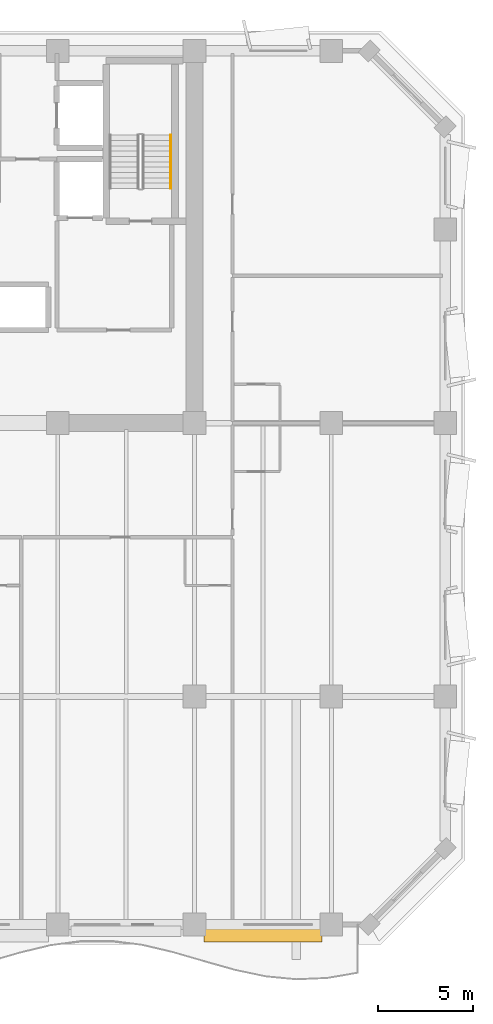
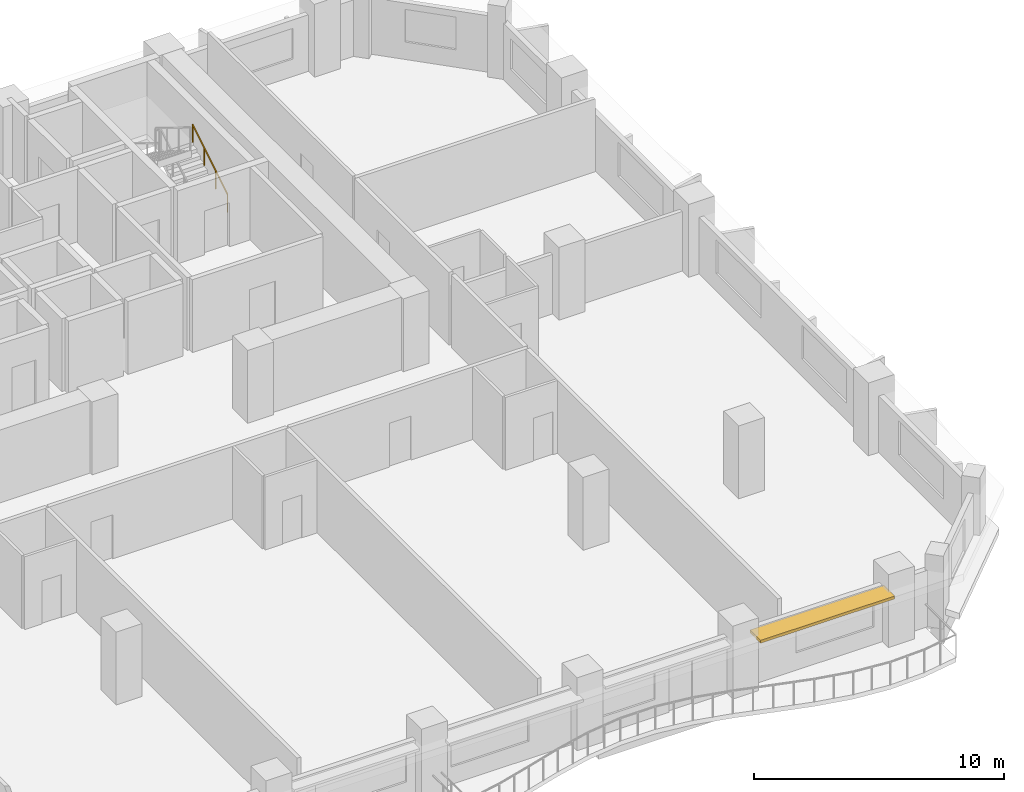
# One storey, part 14 of 14: 1 railing, 1 shading device.
"""IFC4 building model written with IfcOpenShell, lengths in metres."""

from ifc_helpers import new_model, si_unit, direction, frame, origin, origin_2d, place, context, subcontext, project, spatial, rectangle, extrude, material, layer, layer_set, type_object, element, save


model = new_model("IFC4")

# Units and contexts
model_context = context("Model", 3, precision=1e-05, world=origin(), true_north=direction((0.0, 1.0)))
body_context = subcontext(model_context, "Body", "Model", "MODEL_VIEW")
ifc_project = project(units=[si_unit("LENGTHUNIT", "METRE"), si_unit("AREAUNIT", "SQUARE_METRE"), si_unit("VOLUMEUNIT", "CUBIC_METRE"), si_unit("PLANEANGLEUNIT", "RADIAN"), si_unit("MASSUNIT", "GRAM", prefix="KILO")], contexts=[model_context])

# Site, building, storey
site_placement = place(None, origin())
site = spatial("IfcSite", under=ifc_project, at=site_placement, CompositionType="ELEMENT")
building_placement = place(site_placement, origin())
building = spatial("IfcBuilding", under=site, at=building_placement, Name="Kaelvorn Grand Hotel", CompositionType="ELEMENT")
storey_placement = place(building_placement, frame((0.0, 0.0, 201.550048828125)))
storey = spatial("IfcBuildingStorey", under=building, at=storey_placement, Name="L49", CompositionType="ELEMENT", Elevation=201.550048828125)

# Railing
ifc_material_1 = material(Name="Stainless Steel", Category="steel")
railing_type = type_object("IfcRailingType", Name="RL-HANDRAIL-900", PredefinedType="HANDRAIL", material=ifc_material_1)
railing_placement = place(storey_placement, frame((66.550048828125, 41.760009765625, 0.172607421875)))
element("IfcRailing", 1, at=railing_placement, inside=storey, type_object=railing_type, Name="L49 ST3 stair handrail 1", PredefinedType="HANDRAIL", context=body_context, shape_type="SweptSolid", body=[
    extrude(rectangle(XDim=0.048095703125, YDim=0.048095703125, at=origin_2d()), frame((0.0, 0.0, 0.8759765625), z_axis=(0.0, 0.851089632645, 0.525020415988), x_axis=(-1.0, 0.0, 0.0)), (0.0, 0.0, 1.0), 3.2900390625),
    extrude(rectangle(XDim=0.0419921875, YDim=0.0419921875, at=origin_2d()), origin(), (0.0, 0.0, 1.0), 0.851806640625),
    extrude(rectangle(XDim=0.0419921875, YDim=0.0419921875, at=origin_2d()), frame((0.0, 0.933349609375, 0.57568359375)), (0.0, 0.0, 1.0), 0.851806640625),
    extrude(rectangle(XDim=0.0419921875, YDim=0.0419921875, at=origin_2d()), frame((0.0, 1.86669921875, 1.151611328125)), (0.0, 0.0, 1.0), 0.851806640625),
    extrude(rectangle(XDim=0.0419921875, YDim=0.0419921875, at=origin_2d()), frame((0.0, 2.800048828125, 1.727294921875)), (0.0, 0.0, 1.0), 0.851806640625),
])

# Shading device
ifc_material_2 = material(Name="Precast concrete C45/55", Category="concrete")
ifc_layer = layer(ifc_material_2, 0.139892578125)
ifc_layer_set = layer_set([ifc_layer], Name="Precast concrete C45/55")
shading_device_type = type_object("IfcShadingDeviceType", Name="SHD-SUNSHADE-850", PredefinedType="USERDEFINED", material=ifc_layer_set)
shading_device_placement = place(storey_placement, frame((71.39990234375, 2.4951171875, 2.5498046875), z_axis=(0.0, 0.0, 1.0), x_axis=(1.0, 0.0, 0.0)))
element("IfcShadingDevice", 2, at=shading_device_placement, inside=storey, type_object=shading_device_type, Name="L49 Horizontal Concrete Sunshade Band SS-10", ObjectType="SUNSHADE", PredefinedType="USERDEFINED", context=body_context, shape_type="SweptSolid", body=[
    extrude(rectangle(XDim=6.199951171875, YDim=0.85009765625, at=origin_2d()), origin(), (0.0, 0.0, 1.0), 0.139892578125),
])

save(model, "model.ifc")
